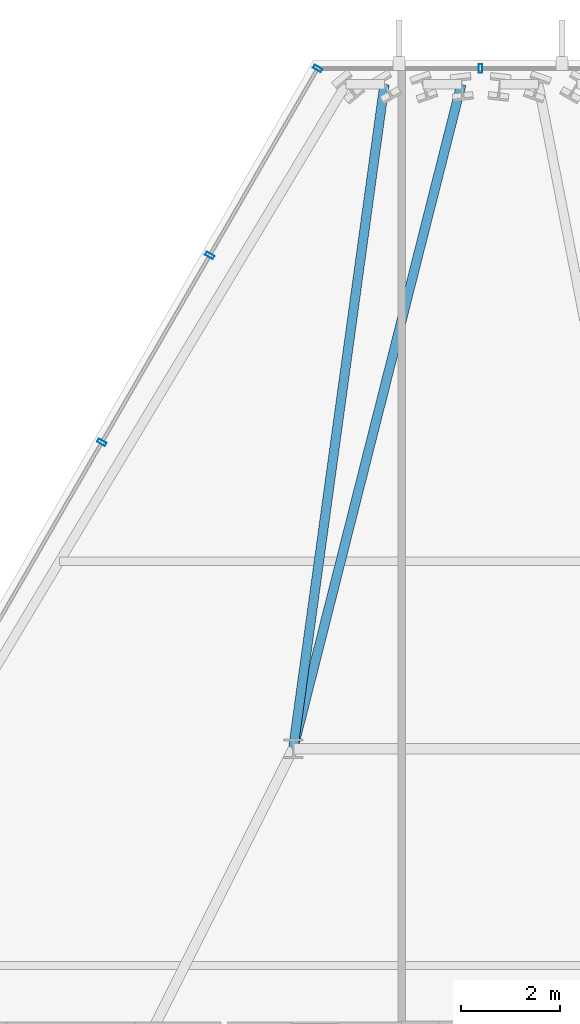
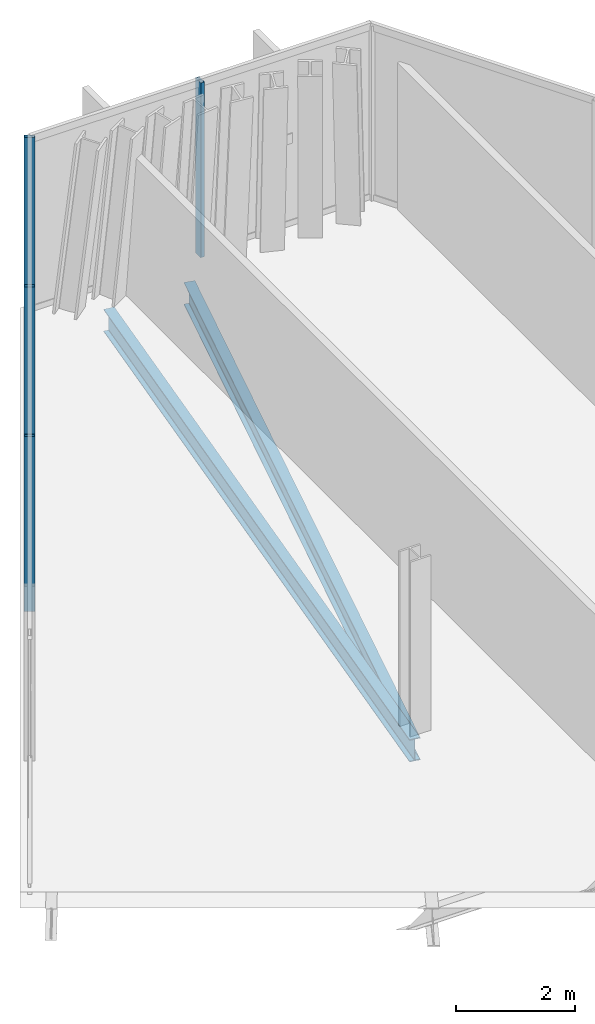
# One storey, part 20 of 29: 4 members, 2 beams, 2 elements without a shape of their own.
"""IFC4 building model written with IfcOpenShell, lengths in metres."""

import ifcopenshell
import ifcopenshell.guid

model = None  # the IFC model being written
_history = None  # IfcOwnerHistory: only IFC2X3 demands one
_inside = {}  # id of a spatial element -> (the spatial element, [elements in it])
_under = {}  # id of a project, library or spatial element -> (it, [spatial elements below it])
_declared = {}  # id of a project -> (the project, [libraries it declares])
_typed = {}  # id of a type object -> (the type object, [elements of that type])
_made_of = {}  # id of a material, layer set ... -> (it, [elements and type objects made of it])


def new_model(schema):
    """Start an empty IFC model of exactly this schema.

    Asked for "IFC4X3", IfcOpenShell would pick the latest addendum, in which some entities
    have other attributes; the version numbers below select the first issue.
    IFC2X3 requires an IfcOwnerHistory on every rooted entity: one is made here for all.
    """
    global model, _history
    if schema == "IFC4X3":
        model = ifcopenshell.file(schema_version=(4, 3, 0, 0))
    else:
        model = ifcopenshell.file(schema=schema)
    _inside.clear()
    _under.clear()
    _declared.clear()
    _typed.clear()
    _made_of.clear()
    _history = None
    if model.schema == "IFC2X3":
        org = make("IfcOrganization", Name="unknown")
        user = make(
            "IfcPersonAndOrganization",
            ThePerson=make("IfcPerson", FamilyName="unknown"),
            TheOrganization=org,
        )
        app = make(
            "IfcApplication",
            ApplicationDeveloper=org,
            Version="unknown",
            ApplicationFullName="unknown",
            ApplicationIdentifier="unknown",
        )
        _history = make(
            "IfcOwnerHistory",
            OwningUser=user,
            OwningApplication=app,
            ChangeAction="ADDED",
            CreationDate=0,
        )
    return model


def make(cls, **values):
    """One entity of the class cls with the attributes given. An attribute that is None is left unset."""
    return model.create_entity(
        cls, **{name: value for name, value in values.items() if value is not None}
    )


def rooted(cls, **values):
    """An entity with a GlobalId (a new one), such as an element, a storey or a relation."""
    return make(cls, GlobalId=ifcopenshell.guid.new(), OwnerHistory=_history, **values)


def si_unit(unit_type, name, prefix=None):
    """IfcSIUnit, for example si_unit("LENGTHUNIT", "METRE", prefix="MILLI")."""
    return make("IfcSIUnit", UnitType=unit_type, Prefix=prefix, Name=name)


def assignment(units):
    """IfcUnitAssignment: the units of a project."""
    return None if units is None else make("IfcUnitAssignment", Units=units)


def point(xyz):
    """IfcCartesianPoint."""
    return None if xyz is None else make("IfcCartesianPoint", Coordinates=xyz)


def direction(xyz):
    """IfcDirection."""
    return None if xyz is None else make("IfcDirection", DirectionRatios=xyz)


def frame(location, z_axis=None, x_axis=None):
    """IfcAxis2Placement3D, a coordinate frame: its origin and axes. An axis left out is left unset."""
    return make(
        "IfcAxis2Placement3D",
        Location=point(location),
        Axis=direction(z_axis),
        RefDirection=direction(x_axis),
    )


def frame_2d(location, x_axis=None):
    """IfcAxis2Placement2D, a coordinate frame in the plane: its origin and x axis."""
    return make(
        "IfcAxis2Placement2D", Location=point(location), RefDirection=direction(x_axis)
    )


def origin():
    """The frame at (0, 0, 0) with its axes left unset."""
    return frame((0.0, 0.0, 0.0))


def origin_2d():
    """The frame at (0, 0) in the plane with its x axis left unset."""
    return frame_2d((0.0, 0.0))


def place(relative_to, where):
    """IfcLocalPlacement: puts the frame where relative to a parent placement (None: the world)."""
    return make(
        "IfcLocalPlacement", PlacementRelTo=relative_to, RelativePlacement=where
    )


def context(
    kind, dimensions, precision=None, world=None, true_north=None, identifier=None
):
    """IfcGeometricRepresentationContext, for example the 3D "Model" context."""
    return make(
        "IfcGeometricRepresentationContext",
        ContextIdentifier=identifier,
        ContextType=kind,
        CoordinateSpaceDimension=dimensions,
        Precision=precision,
        WorldCoordinateSystem=world,
        TrueNorth=true_north,
    )


def subcontext(parent, identifier, kind, view, scale=None):
    """IfcGeometricRepresentationSubContext, for example "Body" below "Model"."""
    return make(
        "IfcGeometricRepresentationSubContext",
        ContextIdentifier=identifier,
        ContextType=kind,
        ParentContext=parent,
        TargetScale=scale,
        TargetView=view,
    )


def project(units=None, contexts=None):
    """IfcProject with its units and contexts."""
    return rooted(
        "IfcProject",
        Name="project",
        RepresentationContexts=contexts,
        UnitsInContext=assignment(units),
    )


def spatial(cls, under=None, at=None, **own):
    """A site, building, storey or space (cls), placed at a placement, below another one or the project."""
    s = rooted(cls, ObjectPlacement=at, **own)
    if under is not None:
        _under.setdefault(under.id(), (under, []))[1].append(s)
    return s


def profile(cls, at=None, kind="AREA", **sizes):
    """A parametric profile (cls). Its sizes go by their IFC names, for example OverallWidth=200.0."""
    return make(cls, ProfileType=kind, Position=at, **sizes)


def hollow_rectangle(**sizes):
    """IfcRectangleHollowProfileDef."""
    return profile("IfcRectangleHollowProfileDef", **sizes)


def i_section(**sizes):
    """IfcIShapeProfileDef."""
    return profile("IfcIShapeProfileDef", **sizes)


def extrude(swept, where, along, depth):
    """IfcExtrudedAreaSolid: the profile swept, set in the frame where, extruded along a direction by depth."""
    return make(
        "IfcExtrudedAreaSolid",
        SweptArea=swept,
        Position=where,
        ExtrudedDirection=direction(along),
        Depth=depth,
    )


def shape(context_of_items, identifier, shape_type, items):
    """IfcShapeRepresentation: the items that make up one representation, for example the "Body"."""
    return make(
        "IfcShapeRepresentation",
        ContextOfItems=context_of_items,
        RepresentationIdentifier=identifier,
        RepresentationType=shape_type,
        Items=items,
    )


def material(Name=None, Category=None):
    """IfcMaterial."""
    return make("IfcMaterial", Name=Name, Category=Category)


def layer(
    of_material, thickness, ventilated=None, Name=None, Category=None, Priority=None
):
    """IfcMaterialLayer: one layer of a wall or slab, of a material (None: an air gap)."""
    return make(
        "IfcMaterialLayer",
        Material=of_material,
        LayerThickness=thickness,
        IsVentilated=ventilated,
        Name=Name,
        Category=Category,
        Priority=Priority,
    )


def layer_set(layers, Name=None):
    """IfcMaterialLayerSet."""
    return make("IfcMaterialLayerSet", MaterialLayers=layers, LayerSetName=Name)


def material_profile(
    of_material, cross_section, Name=None, Category=None, Priority=None
):
    """IfcMaterialProfile: a cross section and its material."""
    return make(
        "IfcMaterialProfile",
        Name=Name,
        Material=of_material,
        Profile=cross_section,
        Priority=Priority,
        Category=Category,
    )


def profile_set(profiles, Name=None, composite=None):
    """IfcMaterialProfileSet."""
    return make(
        "IfcMaterialProfileSet",
        Name=Name,
        MaterialProfiles=profiles,
        CompositeProfile=composite,
    )


def made_of(thing, what):
    """Note that an element or type object is made of a material, layer set ...; save() writes the relation."""
    if what is not None:
        _made_of.setdefault(what.id(), (what, []))[1].append(thing)
    return thing


def type_object(cls, material=None, **own):
    """A type object (cls), such as IfcWallType, which elements share."""
    return made_of(rooted(cls, **own), material)


def element(
    cls,
    number,
    at=None,
    inside=None,
    cuts=None,
    type_object=None,
    material=None,
    context=None,
    identifier="Body",
    shape_type=None,
    held_by="IfcProductDefinitionShape",
    body=None,
    shapes=None,
    **own,
):
    """One element of the class cls, such as IfcWall. Its Tag is "e" and its number.

    at: its placement. inside: the storey or other place that contains it. cuts: it is an
    opening in that element (IfcRelVoidsElement). A single representation is given by context,
    identifier, shape_type and body (its items); several are given by shapes. held_by: the class
    of the entity that holds the representations. save() writes the other relations.
    """
    e = rooted(cls, Tag="e%d" % number, ObjectPlacement=at, **own)
    if body is not None:
        shapes = [shape(context, identifier, shape_type, body)]
    if shapes is not None:
        e.Representation = make(held_by, Representations=shapes)
    if inside is not None:
        _inside.setdefault(inside.id(), (inside, []))[1].append(e)
    if cuts is not None:
        rooted(
            "IfcRelVoidsElement", RelatingBuildingElement=cuts, RelatedOpeningElement=e
        )
    if type_object is not None:
        _typed.setdefault(type_object.id(), (type_object, []))[1].append(e)
    return made_of(e, material)


def aggregate(whole, parts):
    """IfcRelAggregates: a whole, such as a stair, and the parts it consists of."""
    return rooted("IfcRelAggregates", RelatingObject=whole, RelatedObjects=parts)


def save(model, path):
    """Write the relations noted so far, then the file.

    IfcRelAggregates (storeys below a building ...), IfcRelContainedInSpatialStructure (elements
    in a storey), IfcRelDefinesByType, IfcRelAssociatesMaterial and IfcRelDeclares: one each for
    every whole, place, type object, material and project.
    """
    for whole, parts in _under.values():
        aggregate(whole, parts)
    for where, things in _inside.values():
        rooted(
            "IfcRelContainedInSpatialStructure",
            RelatedElements=things,
            RelatingStructure=where,
        )
    for kind, things in _typed.values():
        rooted("IfcRelDefinesByType", RelatedObjects=things, RelatingType=kind)
    for what, things in _made_of.values():
        rooted("IfcRelAssociatesMaterial", RelatedObjects=things, RelatingMaterial=what)
    for by, libraries in _declared.values():
        rooted("IfcRelDeclares", RelatingContext=by, RelatedDefinitions=libraries)
    model.write(path)


model = new_model("IFC4")

# Units and contexts
model_context = context("Model", 3, precision=1e-05, world=origin(), true_north=direction((0.0, 1.0)))
body_context = subcontext(model_context, "Body", "Model", "MODEL_VIEW")
ifc_project = project(units=[si_unit("LENGTHUNIT", "METRE"), si_unit("AREAUNIT", "SQUARE_METRE"), si_unit("VOLUMEUNIT", "CUBIC_METRE"), si_unit("PLANEANGLEUNIT", "RADIAN"), si_unit("MASSUNIT", "GRAM", prefix="KILO")], contexts=[model_context])

# Site, building, storey
site_placement = place(None, origin())
site = spatial("IfcSite", under=ifc_project, at=site_placement, CompositionType="ELEMENT")
building_placement = place(site_placement, origin())
building = spatial("IfcBuilding", under=site, at=building_placement, Name="Ndaravel Arena Tower", CompositionType="ELEMENT")
storey_placement = place(building_placement, frame((0.0, 0.0, 248.39990234375)))
storey = spatial("IfcBuildingStorey", under=building, at=storey_placement, Name="L60", CompositionType="ELEMENT", Elevation=248.39990234375)

# Beams
ifc_material_1 = material(Name="Steel S355", Category="steel")
ifc_material_profile_1 = material_profile(ifc_material_1, i_section(OverallWidth=0.19140625, OverallDepth=0.4599609375, WebThickness=0.010009765625, FlangeThickness=0.01611328125, FilletRadius=0.01025390625, at=origin_2d()), Name="UB 457x191x82")
ifc_profile_set_1 = profile_set([ifc_material_profile_1], Name="Steel S355")
beam_type = type_object("IfcBeamType", Name="BM-GIRD-UB457", PredefinedType="BEAM", material=ifc_profile_set_1)
beam_1_placement = place(storey_placement, frame((41.610107421875, 44.669677734375, -0.449951171875), z_axis=(-0.245428555553, -0.969414681197, 0.0), x_axis=(0.969414681197, -0.245428555553, 0.0)))
element("IfcBeam", 1, at=beam_1_placement, inside=storey, type_object=beam_type, Name="L60 Radial Floor Girder FG-15", PredefinedType="BEAM", context=body_context, shape_type="SweptSolid", body=[
    extrude(i_section(OverallWidth=0.19140625, OverallDepth=0.4599609375, WebThickness=0.010009765625, FlangeThickness=0.01611328125, FilletRadius=0.01025390625, at=origin_2d()), origin(), (0.0, 0.0, 1.0), 13.894775390625),
])
beam_2_placement = place(storey_placement, frame((40.05078125, 44.669677734375, -0.449951171875), z_axis=(-0.136127580295, -0.990691315135, 0.0), x_axis=(0.990691315135, -0.136127580295, 0.0)))
element("IfcBeam", 2, at=beam_2_placement, inside=storey, type_object=beam_type, Name="L60 Radial Floor Girder FG-17", PredefinedType="BEAM", context=body_context, shape_type="SweptSolid", body=[
    extrude(i_section(OverallWidth=0.19140625, OverallDepth=0.4599609375, WebThickness=0.010009765625, FlangeThickness=0.01611328125, FilletRadius=0.01025390625, at=origin_2d()), origin(), (0.0, 0.0, 1.0), 13.59619140625),
])

# Curtain wall, member
ifc_material_2 = material(Name="Aluminium", Category="aluminium")
ifc_layer_1 = layer(ifc_material_2, 0.179931640625)
ifc_layer_set_1 = layer_set([ifc_layer_1], Name="Aluminium")
curtain_wall_type_1 = type_object("IfcCurtainWallType", Name="CW-SYS-01", PredefinedType="NOTDEFINED", material=ifc_layer_set_1)
curtain_wall_1_placement = place(storey_placement, origin())
curtain_wall_1 = element("IfcCurtainWall", 3, at=curtain_wall_1_placement, inside=storey, type_object=curtain_wall_type_1, Name="L60 Faceted Crystal Curtain Wall CW-L60-E04", PredefinedType="NOTDEFINED")
ifc_material_3 = material(Name="Aluminium", Category="aluminium")
ifc_material_profile_2 = material_profile(ifc_material_3, hollow_rectangle(XDim=0.074951171875, YDim=0.179931640625, WallThickness=0.00390625, at=origin_2d()), Name="CW MULLION 75x180x4")
ifc_profile_set_2 = profile_set([ifc_material_profile_2], Name="Aluminium")
member_type = type_object("IfcMemberType", Name="MEM-CW-MUL180", PredefinedType="MULLION", material=ifc_profile_set_2)
member_1_placement = place(storey_placement, frame((42.0, 44.989501953125, 0.0), z_axis=(0.0, 0.0, 1.0), x_axis=(-1.0, 0.0, 0.0)))
member_1 = element("IfcMember", 4, at=member_1_placement, type_object=member_type, Name="CW-L60-E04 Mullion 01", PredefinedType="MULLION", context=body_context, shape_type="SweptSolid", body=[
    extrude(hollow_rectangle(XDim=0.074951171875, YDim=0.179931640625, WallThickness=0.00390625, at=origin_2d()), origin(), (0.0, 0.0, 1.0), 3.580078125),
])
aggregate(curtain_wall_1, [member_1])

# Curtain wall, members
ifc_material_4 = material(Name="Aluminium", Category="aluminium")
ifc_layer_2 = layer(ifc_material_4, 0.179931640625)
ifc_layer_set_2 = layer_set([ifc_layer_2], Name="Aluminium")
curtain_wall_type_2 = type_object("IfcCurtainWallType", Name="CW-SYS-03", PredefinedType="NOTDEFINED", material=ifc_layer_set_2)
curtain_wall_2_placement = place(storey_placement, origin())
curtain_wall_2 = element("IfcCurtainWall", 5, at=curtain_wall_2_placement, inside=storey, type_object=curtain_wall_type_2, Name="L60 Faceted Crystal Curtain Wall CW-L60-E05", PredefinedType="NOTDEFINED")
member_2_placement = place(storey_placement, frame((38.6962890625, 44.989501953125, 0.0), z_axis=(0.0, 0.0, 1.0), x_axis=(-0.5, -0.866025403784, 0.0)))
member_2 = element("IfcMember", 6, at=member_2_placement, type_object=member_type, Name="CW-L60-E05 Mullion 00", PredefinedType="MULLION", context=body_context, shape_type="SweptSolid", body=[
    extrude(hollow_rectangle(XDim=0.074951171875, YDim=0.179931640625, WallThickness=0.00390625, at=origin_2d()), origin(), (0.0, 0.0, 1.0), 3.580078125),
])
member_3_placement = place(storey_placement, frame((36.50830078125, 41.199951171875, 0.0), z_axis=(0.0, 0.0, 1.0), x_axis=(-0.5, -0.866025403784, 0.0)))
member_3 = element("IfcMember", 7, at=member_3_placement, type_object=member_type, Name="CW-L60-E05 Mullion 01", PredefinedType="MULLION", context=body_context, shape_type="SweptSolid", body=[
    extrude(hollow_rectangle(XDim=0.074951171875, YDim=0.179931640625, WallThickness=0.00390625, at=origin_2d()), origin(), (0.0, 0.0, 1.0), 3.580078125),
])
member_4_placement = place(storey_placement, frame((34.3203125, 37.41015625, 0.0), z_axis=(0.0, 0.0, 1.0), x_axis=(-0.5, -0.866025403784, 0.0)))
member_4 = element("IfcMember", 8, at=member_4_placement, type_object=member_type, Name="CW-L60-E05 Mullion 02", PredefinedType="MULLION", context=body_context, shape_type="SweptSolid", body=[
    extrude(hollow_rectangle(XDim=0.074951171875, YDim=0.179931640625, WallThickness=0.00390625, at=origin_2d()), origin(), (0.0, 0.0, 1.0), 3.580078125),
])
aggregate(curtain_wall_2, [member_2, member_3, member_4])

save(model, "model.ifc")
